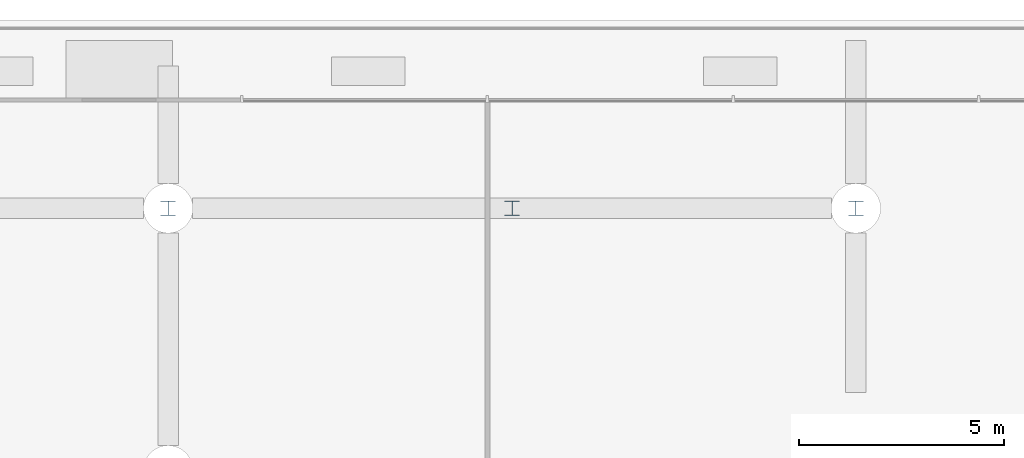
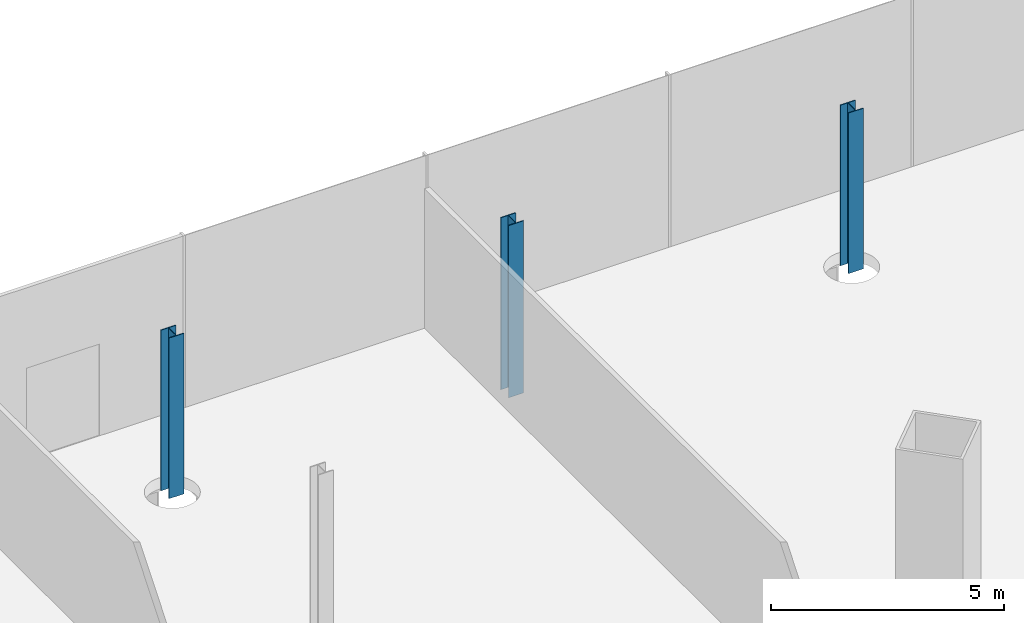
# One storey, part 10 of 56: 3 columns.
"""IFC4 building model written with IfcOpenShell, lengths in metres."""

from ifc_helpers import new_model, si_unit, direction, frame, origin, origin_2d, place, context, subcontext, project, spatial, i_section, extrude, material, material_profile, profile_set, type_object, element, save


model = new_model("IFC4")

# Units and contexts
model_context = context("Model", 3, precision=1e-05, world=origin(), true_north=direction((0.0, 1.0)))
body_context = subcontext(model_context, "Body", "Model", "MODEL_VIEW")
ifc_project = project(units=[si_unit("LENGTHUNIT", "METRE"), si_unit("AREAUNIT", "SQUARE_METRE"), si_unit("VOLUMEUNIT", "CUBIC_METRE"), si_unit("PLANEANGLEUNIT", "RADIAN"), si_unit("MASSUNIT", "GRAM", prefix="KILO")], contexts=[model_context])

# Site, building, storey
site_placement = place(None, origin())
site = spatial("IfcSite", under=ifc_project, at=site_placement, CompositionType="ELEMENT")
building_placement = place(site_placement, origin())
building = spatial("IfcBuilding", under=site, at=building_placement, Name="Rimbun Link Towers", CompositionType="ELEMENT")
storey_placement = place(building_placement, frame((0.0, 0.0, 16.5)))
storey = spatial("IfcBuildingStorey", under=building, at=storey_placement, Name="L03", CompositionType="ELEMENT", Elevation=16.5)

# Columns
ifc_material = material(Name="Steel S355J2", Category="steel")
ifc_material_profile = material_profile(ifc_material, i_section(OverallWidth=0.37060546875, OverallDepth=0.362060546875, WebThickness=0.01220703125, FlangeThickness=0.020751953125, at=origin_2d()), Name="UC 356x368x153")
ifc_profile_set = profile_set([ifc_material_profile], Name="Steel S355J2")
column_type = type_object("IfcColumnType", Name="UC 356x368x153", PredefinedType="COLUMN", material=ifc_profile_set)
column_1_placement = place(storey_placement, frame((4.199951171875, 27.39990234375, 0.0), z_axis=(0.0, 0.0, 1.0), x_axis=(1.0, 0.0, 0.0)))
element("IfcColumn", 1, at=column_1_placement, inside=storey, type_object=column_type, Name="Column L03 +4.2 +27.4", PredefinedType="COLUMN", context=body_context, shape_type="SweptSolid", body=[
    extrude(i_section(OverallWidth=0.37060546875, OverallDepth=0.362060546875, WebThickness=0.01220703125, FlangeThickness=0.020751953125, at=origin_2d()), origin(), (0.0, 0.0, 1.0), 4.199951171875),
])
column_2_placement = place(storey_placement, frame((12.60009765625, 27.39990234375, -0.300048828125), z_axis=(0.0, 0.0, 1.0), x_axis=(1.0, 0.0, 0.0)))
element("IfcColumn", 2, at=column_2_placement, inside=storey, type_object=column_type, Name="Column L03 +12.6 +27.4", PredefinedType="COLUMN", context=body_context, shape_type="SweptSolid", body=[
    extrude(i_section(OverallWidth=0.37060546875, OverallDepth=0.362060546875, WebThickness=0.01220703125, FlangeThickness=0.020751953125, at=origin_2d()), origin(), (0.0, 0.0, 1.0), 4.5),
])
column_3_placement = place(storey_placement, frame((21.0, 27.39990234375, 0.0), z_axis=(0.0, 0.0, 1.0), x_axis=(1.0, 0.0, 0.0)))
element("IfcColumn", 3, at=column_3_placement, inside=storey, type_object=column_type, Name="Column L03 +21.0 +27.4", PredefinedType="COLUMN", context=body_context, shape_type="SweptSolid", body=[
    extrude(i_section(OverallWidth=0.37060546875, OverallDepth=0.362060546875, WebThickness=0.01220703125, FlangeThickness=0.020751953125, at=origin_2d()), origin(), (0.0, 0.0, 1.0), 4.199951171875),
])

save(model, "model.ifc")
